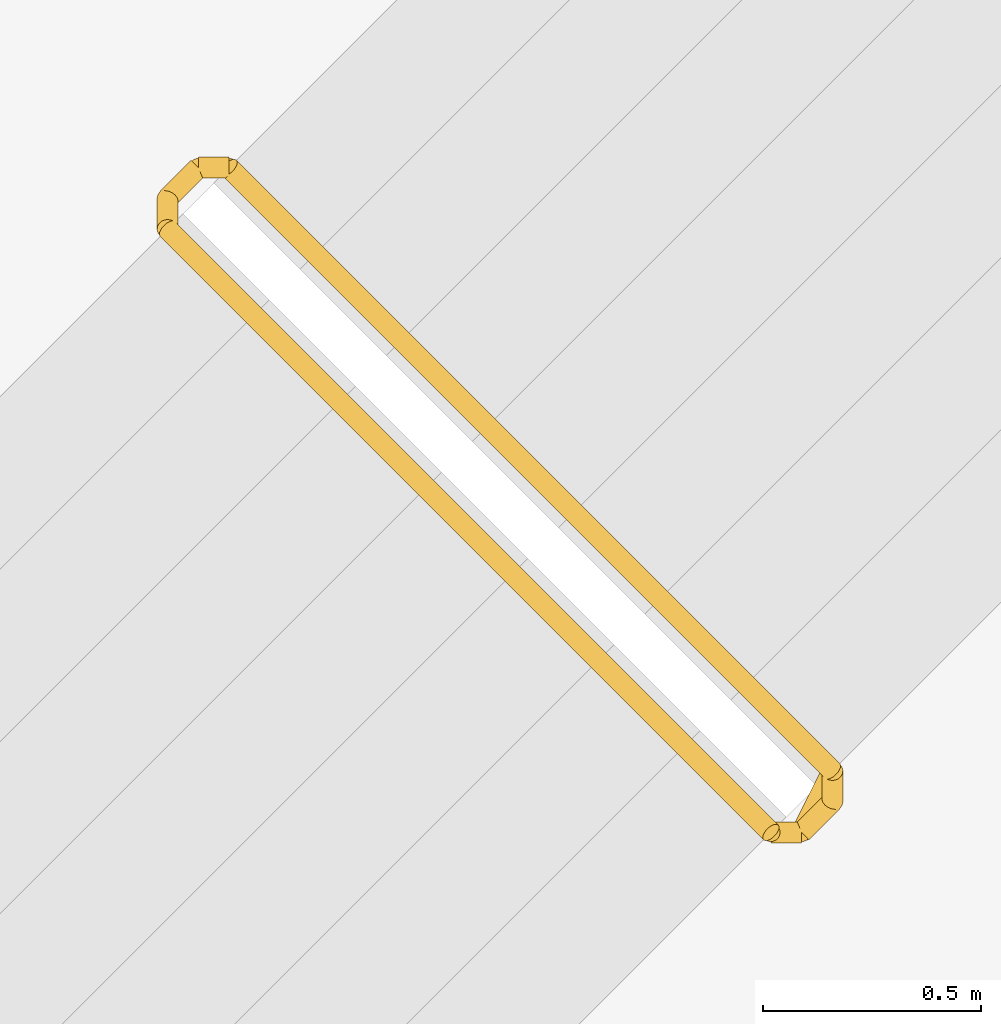
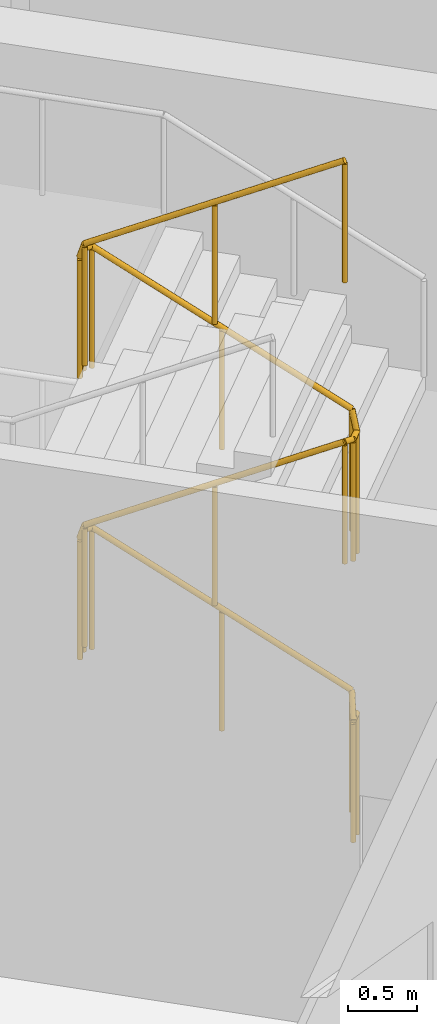
# One storey, part 19 of 19: 1 railing.
"""IFC4 building model written with IfcOpenShell, lengths in metres."""

from ifc_helpers import new_model, si_unit, direction, frame, origin, origin_2d, place, context, subcontext, project, spatial, circle, extrude, material, type_object, element, save


model = new_model("IFC4")

# Units and contexts
model_context = context("Model", 3, precision=1e-05, world=origin(), true_north=direction((0.0, 1.0)))
body_context = subcontext(model_context, "Body", "Model", "MODEL_VIEW")
ifc_project = project(units=[si_unit("LENGTHUNIT", "METRE"), si_unit("AREAUNIT", "SQUARE_METRE"), si_unit("VOLUMEUNIT", "CUBIC_METRE"), si_unit("PLANEANGLEUNIT", "RADIAN"), si_unit("MASSUNIT", "GRAM", prefix="KILO")], contexts=[model_context])

# Site, building, storey
site_placement = place(None, origin())
site = spatial("IfcSite", under=ifc_project, at=site_placement, CompositionType="ELEMENT")
building_placement = place(site_placement, origin())
building = spatial("IfcBuilding", under=site, at=building_placement, Name="Verdalira Terraces Hotel", CompositionType="ELEMENT")
storey_placement = place(building_placement, frame((0.0, 0.0, 310.0)))
storey = spatial("IfcBuildingStorey", under=building, at=storey_placement, Name="L77", CompositionType="ELEMENT", Elevation=310.0)

# Railing
ifc_material = material(Name="Stainless steel", Category="steel")
railing_type = type_object("IfcRailingType", Name="Stair guard 1100", PredefinedType="GUARDRAIL", material=ifc_material)
railing_placement = place(storey_placement, frame((9.369141, 6.78833, 0.0)))
element("IfcRailing", 1, at=railing_placement, inside=storey, type_object=railing_type, Name="L77 ST1 stair guard 1", PredefinedType="GUARDRAIL", context=body_context, shape_type="SweptSolid", body=[
    extrude(circle(Radius=0.023926, at=origin_2d()), frame((0.0, 0.0, 1.076172), z_axis=(-0.707106781, -0.707106781, 0.0), x_axis=(0.707106781, -0.707106781, 0.0)), (0.0, 0.0, 1.0), 0.100098),
    extrude(circle(Radius=0.023926, at=origin_2d()), frame((-0.070801, -0.070801, 1.076172), z_axis=(0.318519619, 0.635940894, 0.702939849), x_axis=(-0.894118129, 0.447831187, 0.0)), (0.0, 0.0, 1.0), 0.222168),
    extrude(circle(Radius=0.023926, at=origin_2d()), frame((0.0, 0.070557, 1.232422), z_axis=(-0.61747733, 0.61747733, 0.48728174), x_axis=(-0.707106781, -0.707106781, 0.0)), (0.0, 0.0, 1.0), 2.244629),
    extrude(circle(Radius=0.023926, at=origin_2d()), frame((-1.385986, 1.456543, 2.326172), z_axis=(-1.0, 0.0, 0.0), x_axis=(0.0, -1.0, 0.0)), (0.0, 0.0, 1.0), 0.070557),
    extrude(circle(Radius=0.023926, at=origin_2d()), frame((-1.456543, 1.456543, 2.326172), z_axis=(-0.707106781, -0.707106781, 0.0), x_axis=(0.707106781, -0.707106781, 0.0)), (0.0, 0.0, 1.0), 0.100098),
    extrude(circle(Radius=0.023926, at=origin_2d()), frame((-1.527344, 1.385742, 2.326172), z_axis=(0.0, -0.411548567, 0.91138783), x_axis=(1.0, 0.0, 0.0)), (0.0, 0.0, 1.0), 0.171387),
    extrude(circle(Radius=0.023926, at=origin_2d()), frame((-1.527344, 1.315186, 2.482422), z_axis=(0.61747733, -0.61747733, 0.48728174), x_axis=(0.707106781, 0.707106781, 0.0)), (0.0, 0.0, 1.0), 2.244629),
    extrude(circle(Radius=0.023926, at=origin_2d()), frame((-0.141357, -0.070801, 3.576172), z_axis=(1.0, 0.0, 0.0), x_axis=(0.0, 1.0, 0.0)), (0.0, 0.0, 1.0), 0.070557),
    extrude(circle(Radius=0.023926, at=origin_2d()), frame((-0.070801, -0.070801, 3.576172), z_axis=(0.707106781, 0.707106781, 0.0), x_axis=(-0.707106781, 0.707106781, 0.0)), (0.0, 0.0, 1.0), 0.100098),
    extrude(circle(Radius=0.023926, at=origin_2d()), frame((0.0, 0.0, 3.576172), z_axis=(0.0, 0.411548567, 0.91138783), x_axis=(-1.0, 0.0, 0.0)), (0.0, 0.0, 1.0), 0.171387),
    extrude(circle(Radius=0.023926, at=origin_2d()), frame((0.0, 0.070557, 3.732422), z_axis=(-0.61747733, 0.61747733, 0.48728174), x_axis=(-0.707106781, -0.707106781, 0.0)), (0.0, 0.0, 1.0), 2.244629),
    extrude(circle(Radius=0.023926, at=origin_2d()), frame((-1.385986, 1.456543, 4.826172), z_axis=(-1.0, 0.0, 0.0), x_axis=(0.0, -1.0, 0.0)), (0.0, 0.0, 1.0), 0.070557),
    extrude(circle(Radius=0.023926, at=origin_2d()), frame((-1.456543, 1.456543, 4.826172), z_axis=(-0.707106781, -0.707106781, 0.0), x_axis=(0.707106781, -0.707106781, 0.0)), (0.0, 0.0, 1.0), 0.100098),
    extrude(circle(Radius=0.023926, at=origin_2d()), frame((-1.527344, 1.385742, 4.826172), z_axis=(0.0, -0.411548567, 0.91138783), x_axis=(1.0, 0.0, 0.0)), (0.0, 0.0, 1.0), 0.171387),
    extrude(circle(Radius=0.023926, at=origin_2d()), frame((-1.527344, 1.315186, 4.982422), z_axis=(0.61747733, -0.61747733, 0.48728174), x_axis=(0.707106781, 0.707106781, 0.0)), (0.0, 0.0, 1.0), 2.244629),
    extrude(circle(Radius=0.020996, at=origin_2d()), origin(), (0.0, 0.0, 1.0), 1.052002),
    extrude(circle(Radius=0.020996, at=origin_2d()), frame((-0.070801, -0.070801, 0.0)), (0.0, 0.0, 1.0), 1.052002),
    extrude(circle(Radius=0.020996, at=origin_2d()), frame((0.0, 0.070557, 0.15625)), (0.0, 0.0, 1.0), 1.052002),
    extrude(circle(Radius=0.020996, at=origin_2d()), frame((-0.692871, 0.763672, 0.703125)), (0.0, 0.0, 1.0), 1.052002),
    extrude(circle(Radius=0.020996, at=origin_2d()), frame((-1.385986, 1.456543, 1.25)), (0.0, 0.0, 1.0), 1.052002),
    extrude(circle(Radius=0.020996, at=origin_2d()), frame((-1.456543, 1.456543, 1.25)), (0.0, 0.0, 1.0), 1.052002),
    extrude(circle(Radius=0.020996, at=origin_2d()), frame((-1.527344, 1.385742, 1.25)), (0.0, 0.0, 1.0), 1.052002),
    extrude(circle(Radius=0.020996, at=origin_2d()), frame((-1.527344, 1.315186, 1.40625)), (0.0, 0.0, 1.0), 1.052002),
    extrude(circle(Radius=0.020996, at=origin_2d()), frame((-0.834473, 0.62207, 1.953125)), (0.0, 0.0, 1.0), 1.052002),
    extrude(circle(Radius=0.020996, at=origin_2d()), frame((-0.141357, -0.070801, 2.5)), (0.0, 0.0, 1.0), 1.052002),
    extrude(circle(Radius=0.020996, at=origin_2d()), frame((-0.070801, -0.070801, 2.5)), (0.0, 0.0, 1.0), 1.052002),
    extrude(circle(Radius=0.020996, at=origin_2d()), frame((0.0, 0.0, 2.5)), (0.0, 0.0, 1.0), 1.052002),
    extrude(circle(Radius=0.020996, at=origin_2d()), frame((0.0, 0.070557, 2.65625)), (0.0, 0.0, 1.0), 1.052002),
    extrude(circle(Radius=0.020996, at=origin_2d()), frame((-0.692871, 0.763672, 3.203125)), (0.0, 0.0, 1.0), 1.052002),
    extrude(circle(Radius=0.020996, at=origin_2d()), frame((-1.385986, 1.456543, 3.75)), (0.0, 0.0, 1.0), 1.052002),
    extrude(circle(Radius=0.020996, at=origin_2d()), frame((-1.456543, 1.456543, 3.75)), (0.0, 0.0, 1.0), 1.052002),
    extrude(circle(Radius=0.020996, at=origin_2d()), frame((-1.527344, 1.385742, 3.75)), (0.0, 0.0, 1.0), 1.052002),
    extrude(circle(Radius=0.020996, at=origin_2d()), frame((-1.527344, 1.315186, 3.90625)), (0.0, 0.0, 1.0), 1.052002),
    extrude(circle(Radius=0.020996, at=origin_2d()), frame((-0.834473, 0.62207, 4.453125)), (0.0, 0.0, 1.0), 1.052002),
    extrude(circle(Radius=0.020996, at=origin_2d()), frame((-0.141357, -0.070801, 5.0)), (0.0, 0.0, 1.0), 1.052002),
])

save(model, "model.ifc")
